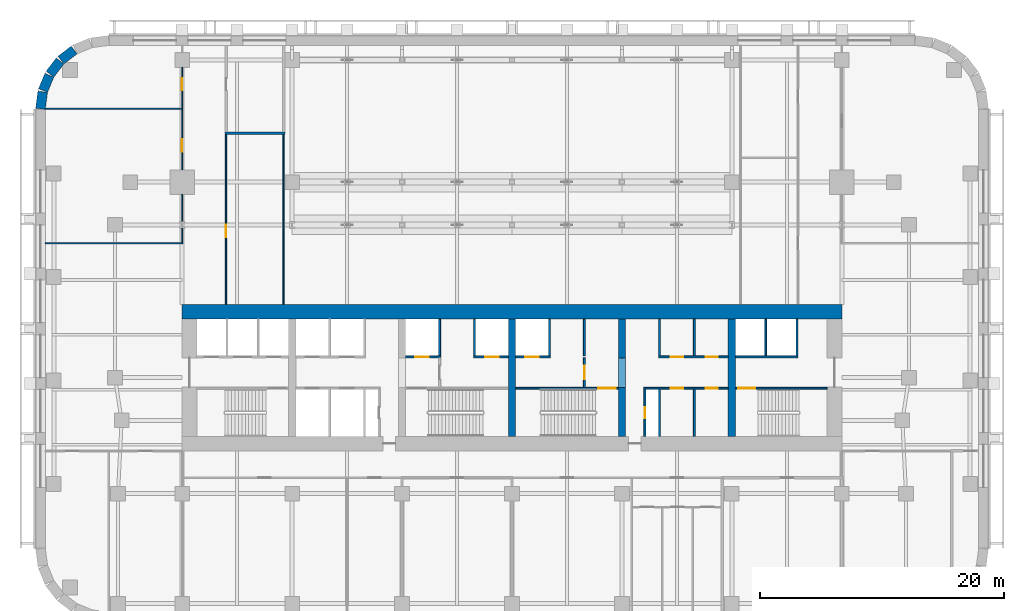
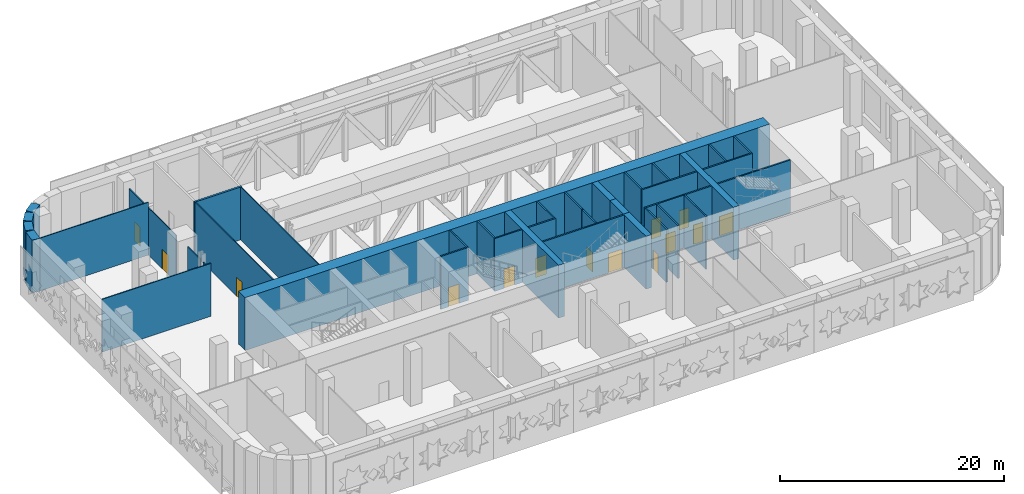
# One storey, part 7 of 15: 38 walls, 14 doors, 14 openings.
"""IFC4 building model written with IfcOpenShell, lengths in metres."""

import ifcopenshell
import ifcopenshell.guid

model = None  # the IFC model being written
_history = None  # IfcOwnerHistory: only IFC2X3 demands one
_inside = {}  # id of a spatial element -> (the spatial element, [elements in it])
_under = {}  # id of a project, library or spatial element -> (it, [spatial elements below it])
_declared = {}  # id of a project -> (the project, [libraries it declares])
_typed = {}  # id of a type object -> (the type object, [elements of that type])
_made_of = {}  # id of a material, layer set ... -> (it, [elements and type objects made of it])


def new_model(schema):
    """Start an empty IFC model of exactly this schema.

    Asked for "IFC4X3", IfcOpenShell would pick the latest addendum, in which some entities
    have other attributes; the version numbers below select the first issue.
    IFC2X3 requires an IfcOwnerHistory on every rooted entity: one is made here for all.
    """
    global model, _history
    if schema == "IFC4X3":
        model = ifcopenshell.file(schema_version=(4, 3, 0, 0))
    else:
        model = ifcopenshell.file(schema=schema)
    _inside.clear()
    _under.clear()
    _declared.clear()
    _typed.clear()
    _made_of.clear()
    _history = None
    if model.schema == "IFC2X3":
        org = make("IfcOrganization", Name="unknown")
        user = make(
            "IfcPersonAndOrganization",
            ThePerson=make("IfcPerson", FamilyName="unknown"),
            TheOrganization=org,
        )
        app = make(
            "IfcApplication",
            ApplicationDeveloper=org,
            Version="unknown",
            ApplicationFullName="unknown",
            ApplicationIdentifier="unknown",
        )
        _history = make(
            "IfcOwnerHistory",
            OwningUser=user,
            OwningApplication=app,
            ChangeAction="ADDED",
            CreationDate=0,
        )
    return model


def make(cls, **values):
    """One entity of the class cls with the attributes given. An attribute that is None is left unset."""
    return model.create_entity(
        cls, **{name: value for name, value in values.items() if value is not None}
    )


def rooted(cls, **values):
    """An entity with a GlobalId (a new one), such as an element, a storey or a relation."""
    return make(cls, GlobalId=ifcopenshell.guid.new(), OwnerHistory=_history, **values)


def si_unit(unit_type, name, prefix=None):
    """IfcSIUnit, for example si_unit("LENGTHUNIT", "METRE", prefix="MILLI")."""
    return make("IfcSIUnit", UnitType=unit_type, Prefix=prefix, Name=name)


def assignment(units):
    """IfcUnitAssignment: the units of a project."""
    return None if units is None else make("IfcUnitAssignment", Units=units)


def point(xyz):
    """IfcCartesianPoint."""
    return None if xyz is None else make("IfcCartesianPoint", Coordinates=xyz)


def direction(xyz):
    """IfcDirection."""
    return None if xyz is None else make("IfcDirection", DirectionRatios=xyz)


def frame(location, z_axis=None, x_axis=None):
    """IfcAxis2Placement3D, a coordinate frame: its origin and axes. An axis left out is left unset."""
    return make(
        "IfcAxis2Placement3D",
        Location=point(location),
        Axis=direction(z_axis),
        RefDirection=direction(x_axis),
    )


def frame_2d(location, x_axis=None):
    """IfcAxis2Placement2D, a coordinate frame in the plane: its origin and x axis."""
    return make(
        "IfcAxis2Placement2D", Location=point(location), RefDirection=direction(x_axis)
    )


def origin():
    """The frame at (0, 0, 0) with its axes left unset."""
    return frame((0.0, 0.0, 0.0))


def place(relative_to, where):
    """IfcLocalPlacement: puts the frame where relative to a parent placement (None: the world)."""
    return make(
        "IfcLocalPlacement", PlacementRelTo=relative_to, RelativePlacement=where
    )


def context(
    kind, dimensions, precision=None, world=None, true_north=None, identifier=None
):
    """IfcGeometricRepresentationContext, for example the 3D "Model" context."""
    return make(
        "IfcGeometricRepresentationContext",
        ContextIdentifier=identifier,
        ContextType=kind,
        CoordinateSpaceDimension=dimensions,
        Precision=precision,
        WorldCoordinateSystem=world,
        TrueNorth=true_north,
    )


def subcontext(parent, identifier, kind, view, scale=None):
    """IfcGeometricRepresentationSubContext, for example "Body" below "Model"."""
    return make(
        "IfcGeometricRepresentationSubContext",
        ContextIdentifier=identifier,
        ContextType=kind,
        ParentContext=parent,
        TargetScale=scale,
        TargetView=view,
    )


def project(units=None, contexts=None):
    """IfcProject with its units and contexts."""
    return rooted(
        "IfcProject",
        Name="project",
        RepresentationContexts=contexts,
        UnitsInContext=assignment(units),
    )


def spatial(cls, under=None, at=None, **own):
    """A site, building, storey or space (cls), placed at a placement, below another one or the project."""
    s = rooted(cls, ObjectPlacement=at, **own)
    if under is not None:
        _under.setdefault(under.id(), (under, []))[1].append(s)
    return s


def profile(cls, at=None, kind="AREA", **sizes):
    """A parametric profile (cls). Its sizes go by their IFC names, for example OverallWidth=200.0."""
    return make(cls, ProfileType=kind, Position=at, **sizes)


def rectangle(**sizes):
    """IfcRectangleProfileDef."""
    return profile("IfcRectangleProfileDef", **sizes)


def extrude(swept, where, along, depth):
    """IfcExtrudedAreaSolid: the profile swept, set in the frame where, extruded along a direction by depth."""
    return make(
        "IfcExtrudedAreaSolid",
        SweptArea=swept,
        Position=where,
        ExtrudedDirection=direction(along),
        Depth=depth,
    )


def shape(context_of_items, identifier, shape_type, items):
    """IfcShapeRepresentation: the items that make up one representation, for example the "Body"."""
    return make(
        "IfcShapeRepresentation",
        ContextOfItems=context_of_items,
        RepresentationIdentifier=identifier,
        RepresentationType=shape_type,
        Items=items,
    )


def material(Name=None, Category=None):
    """IfcMaterial."""
    return make("IfcMaterial", Name=Name, Category=Category)


def layer(
    of_material, thickness, ventilated=None, Name=None, Category=None, Priority=None
):
    """IfcMaterialLayer: one layer of a wall or slab, of a material (None: an air gap)."""
    return make(
        "IfcMaterialLayer",
        Material=of_material,
        LayerThickness=thickness,
        IsVentilated=ventilated,
        Name=Name,
        Category=Category,
        Priority=Priority,
    )


def layer_set(layers, Name=None):
    """IfcMaterialLayerSet."""
    return make("IfcMaterialLayerSet", MaterialLayers=layers, LayerSetName=Name)


def made_of(thing, what):
    """Note that an element or type object is made of a material, layer set ...; save() writes the relation."""
    if what is not None:
        _made_of.setdefault(what.id(), (what, []))[1].append(thing)
    return thing


def type_object(cls, material=None, **own):
    """A type object (cls), such as IfcWallType, which elements share."""
    return made_of(rooted(cls, **own), material)


def element(
    cls,
    number,
    at=None,
    inside=None,
    cuts=None,
    type_object=None,
    material=None,
    context=None,
    identifier="Body",
    shape_type=None,
    held_by="IfcProductDefinitionShape",
    body=None,
    shapes=None,
    **own,
):
    """One element of the class cls, such as IfcWall. Its Tag is "e" and its number.

    at: its placement. inside: the storey or other place that contains it. cuts: it is an
    opening in that element (IfcRelVoidsElement). A single representation is given by context,
    identifier, shape_type and body (its items); several are given by shapes. held_by: the class
    of the entity that holds the representations. save() writes the other relations.
    """
    e = rooted(cls, Tag="e%d" % number, ObjectPlacement=at, **own)
    if body is not None:
        shapes = [shape(context, identifier, shape_type, body)]
    if shapes is not None:
        e.Representation = make(held_by, Representations=shapes)
    if inside is not None:
        _inside.setdefault(inside.id(), (inside, []))[1].append(e)
    if cuts is not None:
        rooted(
            "IfcRelVoidsElement", RelatingBuildingElement=cuts, RelatedOpeningElement=e
        )
    if type_object is not None:
        _typed.setdefault(type_object.id(), (type_object, []))[1].append(e)
    return made_of(e, material)


def fill(opening, filler):
    """IfcRelFillsElement: the door or window that sits in an opening."""
    return rooted(
        "IfcRelFillsElement",
        RelatingOpeningElement=opening,
        RelatedBuildingElement=filler,
    )


def aggregate(whole, parts):
    """IfcRelAggregates: a whole, such as a stair, and the parts it consists of."""
    return rooted("IfcRelAggregates", RelatingObject=whole, RelatedObjects=parts)


def save(model, path):
    """Write the relations noted so far, then the file.

    IfcRelAggregates (storeys below a building ...), IfcRelContainedInSpatialStructure (elements
    in a storey), IfcRelDefinesByType, IfcRelAssociatesMaterial and IfcRelDeclares: one each for
    every whole, place, type object, material and project.
    """
    for whole, parts in _under.values():
        aggregate(whole, parts)
    for where, things in _inside.values():
        rooted(
            "IfcRelContainedInSpatialStructure",
            RelatedElements=things,
            RelatingStructure=where,
        )
    for kind, things in _typed.values():
        rooted("IfcRelDefinesByType", RelatedObjects=things, RelatingType=kind)
    for what, things in _made_of.values():
        rooted("IfcRelAssociatesMaterial", RelatedObjects=things, RelatingMaterial=what)
    for by, libraries in _declared.values():
        rooted("IfcRelDeclares", RelatingContext=by, RelatedDefinitions=libraries)
    model.write(path)


model = new_model("IFC4")

# Units and contexts
model_context = context("Model", 3, precision=1e-05, world=origin(), true_north=direction((0.0, 1.0)))
body_context = subcontext(model_context, "Body", "Model", "MODEL_VIEW")
ifc_project = project(units=[si_unit("LENGTHUNIT", "METRE"), si_unit("AREAUNIT", "SQUARE_METRE"), si_unit("VOLUMEUNIT", "CUBIC_METRE"), si_unit("PLANEANGLEUNIT", "RADIAN"), si_unit("MASSUNIT", "GRAM", prefix="KILO")], contexts=[model_context])

# Site, building, storey
site_placement = place(None, origin())
site = spatial("IfcSite", under=ifc_project, at=site_placement, CompositionType="ELEMENT")
building_placement = place(site_placement, origin())
building = spatial("IfcBuilding", under=site, at=building_placement, Name="Zellij Exchange Tower", CompositionType="ELEMENT")
storey_placement = place(building_placement, frame((0.0, 0.0, 33.0)))
storey = spatial("IfcBuildingStorey", under=building, at=storey_placement, Name="L05", CompositionType="ELEMENT", Elevation=33.0)

# Walls
ifc_material_1 = material(Name="Concrete C70/85", Category="concrete")
ifc_layer_1 = layer(ifc_material_1, 0.60009765625)
ifc_layer_set_1 = layer_set([ifc_layer_1], Name="Concrete C70/85")
wall_type_1 = type_object("IfcWallType", Name="CORE-CW 600 C70/85", PredefinedType="SHEAR", material=ifc_layer_set_1)
wall_1_placement = place(storey_placement, frame((0.0, -12.800048828125, 0.0), z_axis=(0.0, 0.0, 1.0), x_axis=(0.0, 1.0, 0.0)))
element("IfcWall", 1, at=wall_1_placement, inside=storey, type_object=wall_type_1, Name="Core cross wall x 0 L05", PredefinedType="SHEAR", context=body_context, shape_type="SweptSolid", body=[
    extrude(rectangle(XDim=9.60009765625, YDim=0.60009765625, at=frame_2d((4.800048828125, 0.0))), origin(), (0.0, 0.0, 1.0), 5.75),
])
wall_2_placement = place(storey_placement, frame((9.0, -12.800048828125, 0.0), z_axis=(0.0, 0.0, 1.0), x_axis=(0.0, 1.0, 0.0)))
element("IfcWall", 2, at=wall_2_placement, inside=storey, type_object=wall_type_1, Name="Core cross wall pier x 9 a L05", PredefinedType="SHEAR", context=body_context, shape_type="SweptSolid", body=[
    extrude(rectangle(XDim=4.0, YDim=0.60009765625, at=frame_2d((2.0, 0.0))), origin(), (0.0, 0.0, 1.0), 5.75),
])
wall_3_placement = place(storey_placement, frame((9.0, -6.375, 0.0), z_axis=(0.0, 0.0, 1.0), x_axis=(0.0, 1.0, 0.0)))
element("IfcWall", 3, at=wall_3_placement, inside=storey, type_object=wall_type_1, Name="Core cross wall pier x 9 b L05", PredefinedType="SHEAR", context=body_context, shape_type="SweptSolid", body=[
    extrude(rectangle(XDim=3.175048828125, YDim=0.60009765625, at=frame_2d((1.58740234375, 0.0))), origin(), (0.0, 0.0, 1.0), 5.75),
])
wall_4_placement = place(storey_placement, frame((9.0, -8.800048828125, 3.60009765625), z_axis=(0.0, 0.0, 1.0), x_axis=(0.0, 1.0, 0.0)))
element("IfcWall", 4, at=wall_4_placement, inside=storey, type_object=wall_type_1, Name="Core cross wall over opening x 9 L05", PredefinedType="SHEAR", context=body_context, shape_type="SweptSolid", body=[
    extrude(rectangle(XDim=2.425048828125, YDim=0.60009765625, at=frame_2d((1.21240234375, 0.0))), origin(), (0.0, 0.0, 1.0), 2.14990234375),
])
wall_5_placement = place(storey_placement, frame((18.0, -12.800048828125, 0.0), z_axis=(0.0, 0.0, 1.0), x_axis=(0.0, 1.0, 0.0)))
element("IfcWall", 5, at=wall_5_placement, inside=storey, type_object=wall_type_1, Name="Core cross wall x 18 L05", PredefinedType="SHEAR", context=body_context, shape_type="SweptSolid", body=[
    extrude(rectangle(XDim=9.60009765625, YDim=0.60009765625, at=frame_2d((4.800048828125, 0.0))), origin(), (0.0, 0.0, 1.0), 5.75),
])

# Wall, opening, door
ifc_material_2 = material(Name="Gypsum shaft wall system")
ifc_layer_2 = layer(ifc_material_2, 0.14990234375)
ifc_layer_set_2 = layer_set([ifc_layer_2], Name="Gypsum shaft wall system")
wall_type_2 = type_object("IfcWallType", Name="CORE-PW 150 Firefighting lobby wall", PredefinedType="PARTITIONING", material=ifc_layer_set_2)
wall_6_placement = place(storey_placement, frame((5.925048828125, -8.800048828125, 0.0), z_axis=(0.0, 0.0, 1.0), x_axis=(0.0, 1.0, 0.0)))
wall_6 = element("IfcWall", 6, at=wall_6_placement, inside=storey, type_object=wall_type_2, Name="Firefighting lobby wall L05", PredefinedType="PARTITIONING", context=body_context, shape_type="SweptSolid", body=[
    extrude(rectangle(XDim=2.425048828125, YDim=0.14990234375, at=frame_2d((1.21240234375, 0.0))), origin(), (0.0, 0.0, 1.0), 5.75),
])
opening_1_placement = place(wall_6_placement, frame((0.662109375, 0.0, 0.0)))
opening_1 = element("IfcOpeningElement", 7, at=opening_1_placement, cuts=wall_6, Name="Opening CA-05.17", PredefinedType="OPENING", context=body_context, shape_type="SweptSolid", body=[
    extrude(rectangle(XDim=1.10009765625, YDim=2.10009765625, at=frame_2d((0.550048828125, 1.050048828125))), frame((0.0, 0.0869140625, 0.0), z_axis=(0.0, -1.0, 0.0), x_axis=(1.0, 0.0, 0.0)), (0.0, 0.0, 1.0), 0.173828125),
])
ifc_material_3 = material(Name="Hollow metal fire door")
door_type_1 = type_object("IfcDoorType", Name="CORE-D F Firefighting lobby door 1100x2100 1 HR", OperationType="NOTDEFINED", PredefinedType="DOOR", material=ifc_material_3)
door_1_placement = place(opening_1_placement, origin())
door_1 = element("IfcDoor", 8, at=door_1_placement, inside=storey, type_object=door_type_1, Name="Firefighting lobby door CA-05.17", OperationType="SINGLE_SWING_RIGHT", OverallHeight=2.10009765625, OverallWidth=1.10009765625, PredefinedType="DOOR", context=body_context, shape_type="SweptSolid", body=[
    extrude(rectangle(XDim=1.10009765625, YDim=2.10009765625, at=frame_2d((0.550048828125, 1.050048828125))), frame((0.0, 0.02490234375, 0.0), z_axis=(0.0, -1.0, 0.0), x_axis=(1.0, 0.0, 0.0)), (0.0, 0.0, 1.0), 0.050048828125),
])
fill(opening_1, door_1)

# Walls
ifc_material_4 = material(Name="Gypsum board partition")
ifc_layer_3 = layer(ifc_material_4, 0.14990234375)
ifc_layer_set_3 = layer_set([ifc_layer_3], Name="Gypsum board partition")
wall_type_3 = type_object("IfcWallType", Name="CORE-PW 150 Lift lobby wall", PredefinedType="PARTITIONING", material=ifc_layer_set_3)
for number, where, z_axis, x_axis, name in (
    (9, (5.925048828125, -6.22509765625, 0.0), (0.0, 0.0, 1.0), (0.0, 1.0, 0.0), "Lift lobby wall L05"),
    (10, (12.074951171875, -6.22509765625, 0.0), (0.0, 0.0, 1.0), (0.0, 1.0, 0.0), "Lift lobby wall L05"),
    (11, (14.925048828125, -6.22509765625, 0.0), (0.0, 0.0, 1.0), (0.0, 1.0, 0.0), "Lift lobby wall L05"),
):
    element("IfcWall", number, at=place(storey_placement, frame(where, z_axis=z_axis, x_axis=x_axis)), inside=storey, type_object=wall_type_3, Name=name, PredefinedType="PARTITIONING", context=body_context, shape_type="SweptSolid", body=[
        extrude(rectangle(XDim=3.025146484375, YDim=0.14990234375, at=frame_2d((1.5126953125, 0.0))), origin(), (0.0, 0.0, 1.0), 5.75),
    ])

# Wall, opening, door
wall_7_placement = place(storey_placement, frame((10.875, -12.800048828125, 0.0), z_axis=(0.0, 0.0, 1.0), x_axis=(0.0, 1.0, 0.0)))
wall_7 = element("IfcWall", 12, at=wall_7_placement, inside=storey, type_object=wall_type_3, Name="Lift lobby wall L05", PredefinedType="PARTITIONING", context=body_context, shape_type="SweptSolid", body=[
    extrude(rectangle(XDim=3.85009765625, YDim=0.14990234375, at=frame_2d((1.925048828125, 0.0))), origin(), (0.0, 0.0, 1.0), 5.75),
])
opening_2_placement = place(wall_7_placement, frame((1.47509765625, 0.0, 0.0)))
opening_2 = element("IfcOpeningElement", 13, at=opening_2_placement, cuts=wall_7, Name="Opening CA-05.20", PredefinedType="OPENING", context=body_context, shape_type="SweptSolid", body=[
    extrude(rectangle(XDim=0.89990234375, YDim=2.10009765625, at=frame_2d((0.449951171875, 1.050048828125))), frame((0.0, 0.0869140625, 0.0), z_axis=(0.0, -1.0, 0.0), x_axis=(1.0, 0.0, 0.0)), (0.0, 0.0, 1.0), 0.173828125),
])
door_type_2 = type_object("IfcDoorType", Name="CORE-D RD Riser door 900x2100 1.5 HR", OperationType="NOTDEFINED", PredefinedType="DOOR", material=ifc_material_3)
door_2_placement = place(opening_2_placement, origin())
door_2 = element("IfcDoor", 14, at=door_2_placement, inside=storey, type_object=door_type_2, Name="Riser door CA-05.20", OperationType="SINGLE_SWING_LEFT", OverallHeight=2.10009765625, OverallWidth=0.89990234375, PredefinedType="DOOR", context=body_context, shape_type="SweptSolid", body=[
    extrude(rectangle(XDim=0.89990234375, YDim=2.10009765625, at=frame_2d((0.449951171875, 1.050048828125))), frame((0.0, 0.02490234375, 0.0), z_axis=(0.0, -1.0, 0.0), x_axis=(1.0, 0.0, 0.0)), (0.0, 0.0, 1.0), 0.050048828125),
])
fill(opening_2, door_2)

# Walls
for number, where, z_axis, x_axis, name in (
    (15, (12.074951171875, -12.800048828125, 0.0), (0.0, 0.0, 1.0), (0.0, 1.0, 0.0), "Lift lobby wall L05"),
    (16, (14.925048828125, -12.800048828125, 0.0), (0.0, 0.0, 1.0), (0.0, 1.0, 0.0), "Lift lobby wall L05"),
):
    element("IfcWall", number, at=place(storey_placement, frame(where, z_axis=z_axis, x_axis=x_axis)), inside=storey, type_object=wall_type_3, Name=name, PredefinedType="PARTITIONING", context=body_context, shape_type="SweptSolid", body=[
        extrude(rectangle(XDim=3.85009765625, YDim=0.14990234375, at=frame_2d((1.925048828125, 0.0))), origin(), (0.0, 0.0, 1.0), 5.75),
    ])

# Wall, openings, doors
wall_8_placement = place(storey_placement, frame((12.0, -6.300048828125, 0.0), z_axis=(0.0, 0.0, 1.0), x_axis=(1.0, 0.0, 0.0)))
wall_8 = element("IfcWall", 17, at=wall_8_placement, inside=storey, type_object=wall_type_3, Name="Lift lobby wall L05", PredefinedType="PARTITIONING", context=body_context, shape_type="SweptSolid", body=[
    extrude(rectangle(XDim=5.699951171875, YDim=0.14990234375, at=frame_2d((2.85009765625, 0.0))), origin(), (0.0, 0.0, 1.0), 5.75),
])
opening_3_placement = place(wall_8_placement, frame((1.0, 0.0, 0.0)))
opening_3 = element("IfcOpeningElement", 18, at=opening_3_placement, cuts=wall_8, Name="Opening CA-05.22", PredefinedType="OPENING", context=body_context, shape_type="SweptSolid", body=[
    extrude(rectangle(XDim=1.0, YDim=2.10009765625, at=frame_2d((0.5, 1.050048828125))), frame((0.0, 0.0869140625, 0.0), z_axis=(0.0, -1.0, 0.0), x_axis=(1.0, 0.0, 0.0)), (0.0, 0.0, 1.0), 0.173828125),
])
opening_4_placement = place(wall_8_placement, frame((3.85009765625, 0.0, 0.0)))
opening_4 = element("IfcOpeningElement", 19, at=opening_4_placement, cuts=wall_8, Name="Opening CA-05.24", PredefinedType="OPENING", context=body_context, shape_type="SweptSolid", body=[
    extrude(rectangle(XDim=1.0, YDim=2.10009765625, at=frame_2d((0.5, 1.050048828125))), frame((0.0, 0.0869140625, 0.0), z_axis=(0.0, -1.0, 0.0), x_axis=(1.0, 0.0, 0.0)), (0.0, 0.0, 1.0), 0.173828125),
])
door_type_3 = type_object("IfcDoorType", Name="CORE-D CD Core room door 1000x2100 1 HR", OperationType="NOTDEFINED", PredefinedType="DOOR", material=ifc_material_3)
door_3_placement = place(opening_3_placement, origin())
door_3 = element("IfcDoor", 20, at=door_3_placement, inside=storey, type_object=door_type_3, Name="Core room door CA-05.22", OperationType="SINGLE_SWING_LEFT", OverallHeight=2.10009765625, OverallWidth=1.0, PredefinedType="DOOR", context=body_context, shape_type="SweptSolid", body=[
    extrude(rectangle(XDim=1.0, YDim=2.10009765625, at=frame_2d((0.5, 1.050048828125))), frame((0.0, 0.02490234375, 0.0), z_axis=(0.0, -1.0, 0.0), x_axis=(1.0, 0.0, 0.0)), (0.0, 0.0, 1.0), 0.050048828125),
])
fill(opening_3, door_3)
door_4_placement = place(opening_4_placement, origin())
door_4 = element("IfcDoor", 21, at=door_4_placement, inside=storey, type_object=door_type_3, Name="Core room door CA-05.24", OperationType="SINGLE_SWING_RIGHT", OverallHeight=2.10009765625, OverallWidth=1.0, PredefinedType="DOOR", context=body_context, shape_type="SweptSolid", body=[
    extrude(rectangle(XDim=1.0, YDim=2.10009765625, at=frame_2d((0.5, 1.050048828125))), frame((0.0, 0.02490234375, 0.0), z_axis=(0.0, -1.0, 0.0), x_axis=(1.0, 0.0, 0.0)), (0.0, 0.0, 1.0), 0.050048828125),
])
fill(opening_4, door_4)

wall_9_placement = place(storey_placement, frame((10.800048828125, -8.875, 0.0), z_axis=(0.0, 0.0, 1.0), x_axis=(1.0, 0.0, 0.0)))
wall_9 = element("IfcWall", 22, at=wall_9_placement, inside=storey, type_object=wall_type_3, Name="Lift lobby wall L05", PredefinedType="PARTITIONING", context=body_context, shape_type="SweptSolid", body=[
    extrude(rectangle(XDim=6.89990234375, YDim=0.14990234375, at=frame_2d((3.449951171875, 0.0))), origin(), (0.0, 0.0, 1.0), 5.75),
])
opening_5_placement = place(wall_9_placement, frame((2.199951171875, 0.0, 0.0)))
opening_5 = element("IfcOpeningElement", 23, at=opening_5_placement, cuts=wall_9, Name="Opening CA-05.21", PredefinedType="OPENING", context=body_context, shape_type="SweptSolid", body=[
    extrude(rectangle(XDim=1.0, YDim=2.10009765625, at=frame_2d((0.5, 1.050048828125))), frame((0.0, 0.0869140625, 0.0), z_axis=(0.0, -1.0, 0.0), x_axis=(1.0, 0.0, 0.0)), (0.0, 0.0, 1.0), 0.173828125),
])
opening_6_placement = place(wall_9_placement, frame((5.050048828125, 0.0, 0.0)))
opening_6 = element("IfcOpeningElement", 24, at=opening_6_placement, cuts=wall_9, Name="Opening CA-05.23", PredefinedType="OPENING", context=body_context, shape_type="SweptSolid", body=[
    extrude(rectangle(XDim=1.0, YDim=2.10009765625, at=frame_2d((0.5, 1.050048828125))), frame((0.0, 0.0869140625, 0.0), z_axis=(0.0, -1.0, 0.0), x_axis=(1.0, 0.0, 0.0)), (0.0, 0.0, 1.0), 0.173828125),
])
door_5_placement = place(opening_5_placement, origin())
door_5 = element("IfcDoor", 25, at=door_5_placement, inside=storey, type_object=door_type_3, Name="Core room door CA-05.21", OperationType="SINGLE_SWING_RIGHT", OverallHeight=2.10009765625, OverallWidth=1.0, PredefinedType="DOOR", context=body_context, shape_type="SweptSolid", body=[
    extrude(rectangle(XDim=1.0, YDim=2.10009765625, at=frame_2d((0.5, 1.050048828125))), frame((0.0, 0.02490234375, 0.0), z_axis=(0.0, -1.0, 0.0), x_axis=(1.0, 0.0, 0.0)), (0.0, 0.0, 1.0), 0.050048828125),
])
fill(opening_5, door_5)
door_6_placement = place(opening_6_placement, origin())
door_6 = element("IfcDoor", 26, at=door_6_placement, inside=storey, type_object=door_type_3, Name="Core room door CA-05.23", OperationType="SINGLE_SWING_LEFT", OverallHeight=2.10009765625, OverallWidth=1.0, PredefinedType="DOOR", context=body_context, shape_type="SweptSolid", body=[
    extrude(rectangle(XDim=1.0, YDim=2.10009765625, at=frame_2d((0.5, 1.050048828125))), frame((0.0, 0.02490234375, 0.0), z_axis=(0.0, -1.0, 0.0), x_axis=(1.0, 0.0, 0.0)), (0.0, 0.0, 1.0), 0.050048828125),
])
fill(opening_6, door_6)

# Walls
ifc_layer_4 = layer(ifc_material_2, 0.14990234375)
ifc_layer_set_4 = layer_set([ifc_layer_4], Name="Gypsum shaft wall system")
wall_type_4 = type_object("IfcWallType", Name="CORE-PW 150 Lift shaft wall", PredefinedType="PARTITIONING", material=ifc_layer_set_4)
for number, where, z_axis, x_axis, name in (
    (27, (-3.074951171875, -6.22509765625, 0.0), (0.0, 0.0, 1.0), (0.0, 1.0, 0.0), "Lift shaft wall L05"),
    (28, (-5.925048828125, -6.22509765625, 0.0), (0.0, 0.0, 1.0), (0.0, 1.0, 0.0), "Lift shaft wall L05"),
    (29, (3.074951171875, -6.22509765625, 0.0), (0.0, 0.0, 1.0), (0.0, 1.0, 0.0), "Lift shaft wall L05"),
    (30, (20.77490234375, -6.22509765625, 0.0), (0.0, 0.0, 1.0), (0.0, 1.0, 0.0), "Lift shaft wall L05"),
    (31, (23.324951171875, -6.22509765625, 0.0), (0.0, 0.0, 1.0), (0.0, 1.0, 0.0), "Lift shaft wall L05"),
):
    element("IfcWall", number, at=place(storey_placement, frame(where, z_axis=z_axis, x_axis=x_axis)), inside=storey, type_object=wall_type_4, Name=name, PredefinedType="PARTITIONING", context=body_context, shape_type="SweptSolid", body=[
        extrude(rectangle(XDim=3.025146484375, YDim=0.14990234375, at=frame_2d((1.5126953125, 0.0))), origin(), (0.0, 0.0, 1.0), 5.75),
    ])

# Wall, opening, door
wall_10_placement = place(storey_placement, frame((-8.699951171875, -6.300048828125, 0.0), z_axis=(0.0, 0.0, 1.0), x_axis=(1.0, 0.0, 0.0)))
wall_10 = element("IfcWall", 32, at=wall_10_placement, inside=storey, type_object=wall_type_4, Name="Lift shaft wall L05", PredefinedType="PARTITIONING", context=body_context, shape_type="SweptSolid", body=[
    extrude(rectangle(XDim=2.849853515625, YDim=0.14990234375, at=frame_2d((1.4248046875, 0.0))), origin(), (0.0, 0.0, 1.0), 5.75),
])
opening_7_placement = place(wall_10_placement, frame((0.800048828125, 0.0, 0.0)))
opening_7 = element("IfcOpeningElement", 33, at=opening_7_placement, cuts=wall_10, Name="Opening CA-05.13", PredefinedType="OPENING", context=body_context, shape_type="SweptSolid", body=[
    extrude(rectangle(XDim=1.10009765625, YDim=2.10009765625, at=frame_2d((0.550048828125, 1.050048828125))), frame((0.0, 0.0869140625, 0.0), z_axis=(0.0, -1.0, 0.0), x_axis=(1.0, 0.0, 0.0)), (0.0, 0.0, 1.0), 0.173828125),
])
door_type_4 = type_object("IfcDoorType", Name="CORE-D LD Lift landing door 1100x2100 1.5 HR", OperationType="NOTDEFINED", PredefinedType="DOOR", material=ifc_material_3)
door_7_placement = place(opening_7_placement, origin())
door_7 = element("IfcDoor", 34, at=door_7_placement, inside=storey, type_object=door_type_4, Name="Lift landing door CA-05.13", OperationType="SLIDING_TO_LEFT", OverallHeight=2.10009765625, OverallWidth=1.10009765625, PredefinedType="DOOR", context=body_context, shape_type="SweptSolid", body=[
    extrude(rectangle(XDim=1.10009765625, YDim=2.10009765625, at=frame_2d((0.550048828125, 1.050048828125))), frame((0.0, 0.02490234375, 0.0), z_axis=(0.0, -1.0, 0.0), x_axis=(1.0, 0.0, 0.0)), (0.0, 0.0, 1.0), 0.050048828125),
])
fill(opening_7, door_7)

wall_11_placement = place(storey_placement, frame((-3.14990234375, -6.300048828125, 0.0), z_axis=(0.0, 0.0, 1.0), x_axis=(1.0, 0.0, 0.0)))
wall_11 = element("IfcWall", 35, at=wall_11_placement, inside=storey, type_object=wall_type_4, Name="Lift shaft wall L05", PredefinedType="PARTITIONING", context=body_context, shape_type="SweptSolid", body=[
    extrude(rectangle(XDim=2.849853515625, YDim=0.14990234375, at=frame_2d((1.4248046875, 0.0))), origin(), (0.0, 0.0, 1.0), 5.75),
])
opening_8_placement = place(wall_11_placement, frame((0.949951171875, 0.0, 0.0)))
opening_8 = element("IfcOpeningElement", 36, at=opening_8_placement, cuts=wall_11, Name="Opening CA-05.15", PredefinedType="OPENING", context=body_context, shape_type="SweptSolid", body=[
    extrude(rectangle(XDim=1.10009765625, YDim=2.10009765625, at=frame_2d((0.550048828125, 1.050048828125))), frame((0.0, 0.0869140625, 0.0), z_axis=(0.0, -1.0, 0.0), x_axis=(1.0, 0.0, 0.0)), (0.0, 0.0, 1.0), 0.173828125),
])
door_8_placement = place(opening_8_placement, origin())
door_8 = element("IfcDoor", 37, at=door_8_placement, inside=storey, type_object=door_type_4, Name="Lift landing door CA-05.15", OperationType="SLIDING_TO_LEFT", OverallHeight=2.10009765625, OverallWidth=1.10009765625, PredefinedType="DOOR", context=body_context, shape_type="SweptSolid", body=[
    extrude(rectangle(XDim=1.10009765625, YDim=2.10009765625, at=frame_2d((0.550048828125, 1.050048828125))), frame((0.0, 0.02490234375, 0.0), z_axis=(0.0, -1.0, 0.0), x_axis=(1.0, 0.0, 0.0)), (0.0, 0.0, 1.0), 0.050048828125),
])
fill(opening_8, door_8)

wall_12_placement = place(storey_placement, frame((0.300048828125, -6.300048828125, 0.0), z_axis=(0.0, 0.0, 1.0), x_axis=(1.0, 0.0, 0.0)))
wall_12 = element("IfcWall", 38, at=wall_12_placement, inside=storey, type_object=wall_type_4, Name="Lift shaft wall L05", PredefinedType="PARTITIONING", context=body_context, shape_type="SweptSolid", body=[
    extrude(rectangle(XDim=2.849853515625, YDim=0.14990234375, at=frame_2d((1.4248046875, 0.0))), origin(), (0.0, 0.0, 1.0), 5.75),
])
opening_9_placement = place(wall_12_placement, frame((0.800048828125, 0.0, 0.0)))
opening_9 = element("IfcOpeningElement", 39, at=opening_9_placement, cuts=wall_12, Name="Opening CA-05.16", PredefinedType="OPENING", context=body_context, shape_type="SweptSolid", body=[
    extrude(rectangle(XDim=1.10009765625, YDim=2.10009765625, at=frame_2d((0.550048828125, 1.050048828125))), frame((0.0, 0.0869140625, 0.0), z_axis=(0.0, -1.0, 0.0), x_axis=(1.0, 0.0, 0.0)), (0.0, 0.0, 1.0), 0.173828125),
])
door_9_placement = place(opening_9_placement, origin())
door_9 = element("IfcDoor", 40, at=door_9_placement, inside=storey, type_object=door_type_4, Name="Lift landing door CA-05.16", OperationType="SLIDING_TO_RIGHT", OverallHeight=2.10009765625, OverallWidth=1.10009765625, PredefinedType="DOOR", context=body_context, shape_type="SweptSolid", body=[
    extrude(rectangle(XDim=1.10009765625, YDim=2.10009765625, at=frame_2d((0.550048828125, 1.050048828125))), frame((0.0, 0.02490234375, 0.0), z_axis=(0.0, -1.0, 0.0), x_axis=(1.0, 0.0, 0.0)), (0.0, 0.0, 1.0), 0.050048828125),
])
fill(opening_9, door_9)

# Walls
wall_13_placement = place(storey_placement, frame((18.300048828125, -6.300048828125, 0.0), z_axis=(0.0, 0.0, 1.0), x_axis=(1.0, 0.0, 0.0)))
element("IfcWall", 41, at=wall_13_placement, inside=storey, type_object=wall_type_4, Name="Lift shaft wall L05", PredefinedType="PARTITIONING", context=body_context, shape_type="SweptSolid", body=[
    extrude(rectangle(XDim=5.099853515625, YDim=0.14990234375, at=frame_2d((2.5498046875, 0.0))), origin(), (0.0, 0.0, 1.0), 5.75),
])
ifc_layer_5 = layer(ifc_material_1, 1.199951171875)
ifc_layer_set_5 = layer_set([ifc_layer_5], Name="Concrete C70/85")
wall_type_5 = type_object("IfcWallType", Name="CORE-SW 1200 C70/85", PredefinedType="SHEAR", material=ifc_layer_set_5)
wall_14_placement = place(storey_placement, frame((-27.0, -2.60009765625, 0.0), z_axis=(0.0, 0.0, 1.0), x_axis=(1.0, 0.0, 0.0)))
element("IfcWall", 42, at=wall_14_placement, inside=storey, type_object=wall_type_5, Name="Core shear wall front L05", PredefinedType="SHEAR", context=body_context, shape_type="SweptSolid", body=[
    extrude(rectangle(XDim=54.0, YDim=1.199951171875, at=frame_2d((27.0, 0.0))), origin(), (0.0, 0.0, 1.0), 5.75),
])

# Wall, opening, door
ifc_layer_6 = layer(ifc_material_1, 0.14990234375)
ifc_layer_set_6 = layer_set([ifc_layer_6], Name="Concrete C70/85")
wall_type_6 = type_object("IfcWallType", Name="CORE-SWS 150 C70/85", PredefinedType="SHEAR", material=ifc_layer_set_6)
wall_15_placement = place(storey_placement, frame((0.300048828125, -8.875, 0.0), z_axis=(0.0, 0.0, 1.0), x_axis=(1.0, 0.0, 0.0)))
wall_15 = element("IfcWall", 43, at=wall_15_placement, inside=storey, type_object=wall_type_6, Name="Stair enclosure wall L05", PredefinedType="SHEAR", context=body_context, shape_type="SweptSolid", body=[
    extrude(rectangle(XDim=8.39990234375, YDim=0.14990234375, at=frame_2d((4.199951171875, 0.0))), origin(), (0.0, 0.0, 1.0), 5.75),
])
opening_10_placement = place(wall_15_placement, frame((6.77490234375, 0.0, 0.0)))
opening_10 = element("IfcOpeningElement", 44, at=opening_10_placement, cuts=wall_15, Name="Opening CA-05.18", PredefinedType="OPENING", context=body_context, shape_type="SweptSolid", body=[
    extrude(rectangle(XDim=1.39990234375, YDim=2.10009765625, at=frame_2d((0.699951171875, 1.050048828125))), frame((0.0, 0.0869140625, 0.0), z_axis=(0.0, -1.0, 0.0), x_axis=(1.0, 0.0, 0.0)), (0.0, 0.0, 1.0), 0.173828125),
])
door_type_5 = type_object("IfcDoorType", Name="CORE-D SD Stair door 1400x2100 1.5 HR", OperationType="NOTDEFINED", PredefinedType="DOOR", material=ifc_material_3)
door_10_placement = place(opening_10_placement, origin())
door_10 = element("IfcDoor", 45, at=door_10_placement, inside=storey, type_object=door_type_5, Name="Stair door CA-05.18", OperationType="DOUBLE_DOOR_SINGLE_SWING", OverallHeight=2.10009765625, OverallWidth=1.39990234375, PredefinedType="DOOR", context=body_context, shape_type="SweptSolid", body=[
    extrude(rectangle(XDim=1.39990234375, YDim=2.10009765625, at=frame_2d((0.699951171875, 1.050048828125))), frame((0.0, 0.02490234375, 0.0), z_axis=(0.0, -1.0, 0.0), x_axis=(1.0, 0.0, 0.0)), (0.0, 0.0, 1.0), 0.050048828125),
])
fill(opening_10, door_10)

wall_16_placement = place(storey_placement, frame((18.300048828125, -8.875, 0.0), z_axis=(0.0, 0.0, 1.0), x_axis=(1.0, 0.0, 0.0)))
wall_16 = element("IfcWall", 46, at=wall_16_placement, inside=storey, type_object=wall_type_6, Name="Stair enclosure wall L05", PredefinedType="SHEAR", context=body_context, shape_type="SweptSolid", body=[
    extrude(rectangle(XDim=7.5, YDim=0.14990234375, at=frame_2d((3.75, 0.0))), origin(), (0.0, 0.0, 1.0), 5.75),
])
opening_11_placement = place(wall_16_placement, frame((0.22509765625, 0.0, 0.0)))
opening_11 = element("IfcOpeningElement", 47, at=opening_11_placement, cuts=wall_16, Name="Opening CA-05.25", PredefinedType="OPENING", context=body_context, shape_type="SweptSolid", body=[
    extrude(rectangle(XDim=1.39990234375, YDim=2.10009765625, at=frame_2d((0.699951171875, 1.050048828125))), frame((0.0, 0.0869140625, 0.0), z_axis=(0.0, -1.0, 0.0), x_axis=(1.0, 0.0, 0.0)), (0.0, 0.0, 1.0), 0.173828125),
])
door_11_placement = place(opening_11_placement, origin())
door_11 = element("IfcDoor", 48, at=door_11_placement, inside=storey, type_object=door_type_5, Name="Stair door CA-05.25", OperationType="DOUBLE_DOOR_SINGLE_SWING", OverallHeight=2.10009765625, OverallWidth=1.39990234375, PredefinedType="DOOR", context=body_context, shape_type="SweptSolid", body=[
    extrude(rectangle(XDim=1.39990234375, YDim=2.10009765625, at=frame_2d((0.699951171875, 1.050048828125))), frame((0.0, 0.02490234375, 0.0), z_axis=(0.0, -1.0, 0.0), x_axis=(1.0, 0.0, 0.0)), (0.0, 0.0, 1.0), 0.050048828125),
])
fill(opening_11, door_11)

# Walls
ifc_material_5 = material(Name="Precast concrete C40/50", Category="concrete")
ifc_layer_7 = layer(ifc_material_5, 0.800048828125)
ifc_layer_set_7 = layer_set([ifc_layer_7], Name="Precast concrete C40/50")
wall_type_7 = type_object("IfcWallType", Name="ENV-EW1 Precast stone-piered wall 800", PredefinedType="SOLIDWALL", material=ifc_layer_set_7)
for number, where, z_axis, x_axis, name in (
    (49, (-35.840087890625, 18.814697265625, 0.0), (0.0, 0.0, 1.0), (-0.793272915452, -0.608866226366, 0.0), "fac.L05.17"),
    (50, (-36.9892578125, 17.91552734375, 0.0), (0.0, 0.0, 1.0), (-0.608866226366, -0.793272915452, 0.0), "fac.L05.18"),
):
    element("IfcWall", number, at=place(storey_placement, frame(where, z_axis=z_axis, x_axis=x_axis)), inside=storey, type_object=wall_type_7, Name=name, PredefinedType="SOLIDWALL", context=body_context, shape_type="SweptSolid", body=[
        extrude(rectangle(XDim=1.355712890625, YDim=0.800048828125, at=frame_2d((0.677734375, 0.0))), origin(), (0.0, 0.0, 1.0), 5.75),
    ])
wall_17_placement = place(storey_placement, frame((-37.866943359375, 16.74951171875, 0.0), z_axis=(0.0, 0.0, 1.0), x_axis=(-0.38276009378, -0.923847774587, 0.0)))
element("IfcWall", 51, at=wall_17_placement, inside=storey, type_object=wall_type_7, Name="fac.L05.19", PredefinedType="SOLIDWALL", context=body_context, shape_type="SweptSolid", body=[
    extrude(rectangle(XDim=1.35546875, YDim=0.800048828125, at=frame_2d((0.677734375, 0.0))), origin(), (0.0, 0.0, 1.0), 5.75),
])
wall_18_placement = place(storey_placement, frame((-38.412841796875, 15.396240234375, 0.0), z_axis=(0.0, 0.0, 1.0), x_axis=(-0.130517283865, -0.99144603414, 0.0)))
element("IfcWall", 52, at=wall_18_placement, inside=storey, type_object=wall_type_7, Name="fac.L05.20", PredefinedType="SOLIDWALL", context=body_context, shape_type="SweptSolid", body=[
    extrude(rectangle(XDim=1.408447265625, YDim=0.800048828125, at=frame_2d((0.7041015625, 0.0))), origin(), (0.0, 0.0, 1.0), 5.75),
])
ifc_material_6 = material(Name="Blockwork partition", Category="masonry")
ifc_layer_8 = layer(ifc_material_6, 0.199951171875)
ifc_layer_set_8 = layer_set([ifc_layer_8], Name="Blockwork partition")
wall_type_8 = type_object("IfcWallType", Name="FIT-BLOCKWORK-200", PredefinedType="PARTITIONING", material=ifc_layer_set_8)
wall_19_placement = place(storey_placement, frame((-23.5, 12.0, 0.0), z_axis=(0.0, 0.0, 1.0), x_axis=(1.0, 0.0, 0.0)))
element("IfcWall", 53, at=wall_19_placement, inside=storey, type_object=wall_type_8, Name="FIT-BLOCKWORK-200 041", PredefinedType="PARTITIONING", context=body_context, shape_type="SweptSolid", body=[
    extrude(rectangle(XDim=4.89990234375, YDim=0.199951171875, at=frame_2d((2.449951171875, 0.0))), origin(), (0.0, 0.0, 1.0), 5.75),
])

# Wall, opening, door
ifc_material_7 = material(Name="Gypsum board partition on steel studs", Category="steel")
ifc_layer_9 = layer(ifc_material_7, 0.10009765625)
ifc_layer_set_9 = layer_set([ifc_layer_9], Name="Gypsum board partition on steel studs")
wall_type_9 = type_object("IfcWallType", Name="FIT-PARTITION-100", PredefinedType="PARTITIONING", material=ifc_layer_set_9)
wall_20_placement = place(storey_placement, frame((-23.39990234375, -2.0, 0.0), z_axis=(0.0, 0.0, 1.0), x_axis=(0.0, 1.0, 0.0)))
wall_20 = element("IfcWall", 54, at=wall_20_placement, inside=storey, type_object=wall_type_9, Name="FIT-PARTITION-100 026", PredefinedType="PARTITIONING", context=body_context, shape_type="SweptSolid", body=[
    extrude(rectangle(XDim=13.89990234375, YDim=0.10009765625, at=frame_2d((6.949951171875, 0.0))), origin(), (0.0, 0.0, 1.0), 5.75),
])
opening_12_placement = place(wall_20_placement, frame((5.5, 0.0, 0.0)))
opening_12 = element("IfcOpeningElement", 55, at=opening_12_placement, cuts=wall_20, Name="Opening P5.15", PredefinedType="OPENING", context=body_context, shape_type="SweptSolid", body=[
    extrude(rectangle(XDim=1.0, YDim=2.10009765625, at=frame_2d((0.5, 1.050048828125))), frame((0.0, 0.06201171875, 0.0), z_axis=(0.0, -1.0, 0.0), x_axis=(1.0, 0.0, 0.0)), (0.0, 0.0, 1.0), 0.1240234375),
])
ifc_material_8 = material(Name="Timber door set", Category="wood")
door_type_6 = type_object("IfcDoorType", Name="FIT-D2-WIDE-1000X2100", OperationType="SINGLE_SWING_LEFT", PredefinedType="DOOR", material=ifc_material_8)
door_12_placement = place(opening_12_placement, origin())
door_12 = element("IfcDoor", 56, at=door_12_placement, inside=storey, type_object=door_type_6, Name="Door P5.15", OperationType="SINGLE_SWING_RIGHT", OverallHeight=2.10009765625, OverallWidth=1.0, PredefinedType="DOOR", context=body_context, shape_type="SweptSolid", body=[
    extrude(rectangle(XDim=1.0, YDim=2.10009765625, at=frame_2d((0.5, 1.050048828125))), frame((0.0, 0.02490234375, 0.0), z_axis=(0.0, -1.0, 0.0), x_axis=(1.0, 0.0, 0.0)), (0.0, 0.0, 1.0), 0.050048828125),
])
fill(opening_12, door_12)

# Walls
wall_21_placement = place(storey_placement, frame((-18.699951171875, -2.0, 0.0), z_axis=(0.0, 0.0, 1.0), x_axis=(0.0, 1.0, 0.0)))
element("IfcWall", 57, at=wall_21_placement, inside=storey, type_object=wall_type_9, Name="FIT-PARTITION-100 027", PredefinedType="PARTITIONING", context=body_context, shape_type="SweptSolid", body=[
    extrude(rectangle(XDim=13.89990234375, YDim=0.10009765625, at=frame_2d((6.949951171875, 0.0))), origin(), (0.0, 0.0, 1.0), 5.75),
])
wall_22_placement = place(storey_placement, frame((-38.199951171875, 3.0, 0.0), z_axis=(0.0, 0.0, 1.0), x_axis=(1.0, 0.0, 0.0)))
element("IfcWall", 58, at=wall_22_placement, inside=storey, type_object=wall_type_9, Name="FIT-PARTITION-100 030", PredefinedType="PARTITIONING", context=body_context, shape_type="SweptSolid", body=[
    extrude(rectangle(XDim=11.25, YDim=0.10009765625, at=frame_2d((5.625, 0.0))), origin(), (0.0, 0.0, 1.0), 5.75),
])
wall_23_placement = place(storey_placement, frame((-27.0, 3.050048828125, 0.0), z_axis=(0.0, 0.0, 1.0), x_axis=(0.0, 1.0, 0.0)))
element("IfcWall", 59, at=wall_23_placement, inside=storey, type_object=wall_type_9, Name="FIT-PARTITION-100 031", PredefinedType="PARTITIONING", context=body_context, shape_type="SweptSolid", body=[
    extrude(rectangle(XDim=1.16552734375, YDim=0.10009765625, at=frame_2d((0.582763671875, 0.0))), origin(), (0.0, 0.0, 1.0), 5.137939453125),
])
wall_24_placement = place(storey_placement, frame((-27.0, 4.784423828125, 0.0), z_axis=(0.0, 0.0, 1.0), x_axis=(0.0, 1.0, 0.0)))
element("IfcWall", 60, at=wall_24_placement, inside=storey, type_object=wall_type_9, Name="FIT-PARTITION-100 032", PredefinedType="PARTITIONING", context=body_context, shape_type="SweptSolid", body=[
    extrude(rectangle(XDim=2.215576171875, YDim=0.10009765625, at=frame_2d((1.10791015625, 0.0))), origin(), (0.0, 0.0, 1.0), 5.137939453125),
])

# Wall, openings, doors
wall_25_placement = place(storey_placement, frame((-27.0, 9.0, 0.0), z_axis=(0.0, 0.0, 1.0), x_axis=(0.0, 1.0, 0.0)))
wall_25 = element("IfcWall", 61, at=wall_25_placement, inside=storey, type_object=wall_type_9, Name="FIT-PARTITION-100 033", PredefinedType="PARTITIONING", context=body_context, shape_type="SweptSolid", body=[
    extrude(rectangle(XDim=8.39990234375, YDim=0.10009765625, at=frame_2d((4.199951171875, 0.0))), origin(), (0.0, 0.0, 1.0), 5.137939453125),
])
opening_13_placement = place(wall_25_placement, frame((1.5, 0.0, 0.0)))
opening_13 = element("IfcOpeningElement", 62, at=opening_13_placement, cuts=wall_25, Name="Opening P5.16", PredefinedType="OPENING", context=body_context, shape_type="SweptSolid", body=[
    extrude(rectangle(XDim=1.0, YDim=2.10009765625, at=frame_2d((0.5, 1.050048828125))), frame((0.0, 0.06201171875, 0.0), z_axis=(0.0, -1.0, 0.0), x_axis=(1.0, 0.0, 0.0)), (0.0, 0.0, 1.0), 0.1240234375),
])
opening_14_placement = place(wall_25_placement, frame((6.5, 0.0, 0.0)))
opening_14 = element("IfcOpeningElement", 63, at=opening_14_placement, cuts=wall_25, Name="Opening P5.19", PredefinedType="OPENING", context=body_context, shape_type="SweptSolid", body=[
    extrude(rectangle(XDim=1.0, YDim=2.10009765625, at=frame_2d((0.5, 1.050048828125))), frame((0.0, 0.06201171875, 0.0), z_axis=(0.0, -1.0, 0.0), x_axis=(1.0, 0.0, 0.0)), (0.0, 0.0, 1.0), 0.1240234375),
])
door_13_placement = place(opening_13_placement, origin())
door_13 = element("IfcDoor", 64, at=door_13_placement, inside=storey, type_object=door_type_6, Name="Door P5.16", OperationType="SINGLE_SWING_RIGHT", OverallHeight=2.10009765625, OverallWidth=1.0, PredefinedType="DOOR", context=body_context, shape_type="SweptSolid", body=[
    extrude(rectangle(XDim=1.0, YDim=2.10009765625, at=frame_2d((0.5, 1.050048828125))), frame((0.0, 0.02490234375, 0.0), z_axis=(0.0, -1.0, 0.0), x_axis=(1.0, 0.0, 0.0)), (0.0, 0.0, 1.0), 0.050048828125),
])
fill(opening_13, door_13)
door_14_placement = place(opening_14_placement, origin())
door_14 = element("IfcDoor", 65, at=door_14_placement, inside=storey, type_object=door_type_6, Name="Door P5.19", OperationType="SINGLE_SWING_LEFT", OverallHeight=2.10009765625, OverallWidth=1.0, PredefinedType="DOOR", context=body_context, shape_type="SweptSolid", body=[
    extrude(rectangle(XDim=1.0, YDim=2.10009765625, at=frame_2d((0.5, 1.050048828125))), frame((0.0, 0.02490234375, 0.0), z_axis=(0.0, -1.0, 0.0), x_axis=(1.0, 0.0, 0.0)), (0.0, 0.0, 1.0), 0.050048828125),
])
fill(opening_14, door_14)

# Wall
wall_26_placement = place(storey_placement, frame((-38.18994140625, 14.0, 0.0), z_axis=(0.0, 0.0, 1.0), x_axis=(1.0, 0.0, 0.0)))
element("IfcWall", 66, at=wall_26_placement, inside=storey, type_object=wall_type_9, Name="FIT-PARTITION-100 044", PredefinedType="PARTITIONING", context=body_context, shape_type="SweptSolid", body=[
    extrude(rectangle(XDim=11.139892578125, YDim=0.10009765625, at=frame_2d((5.56982421875, 0.0))), origin(), (0.0, 0.0, 1.0), 5.75),
])

save(model, "model.ifc")
